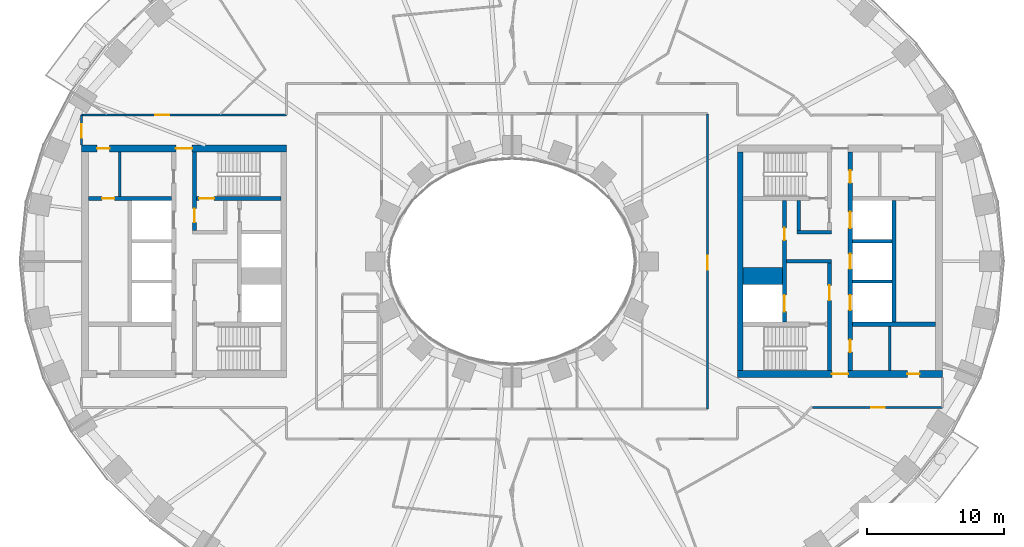
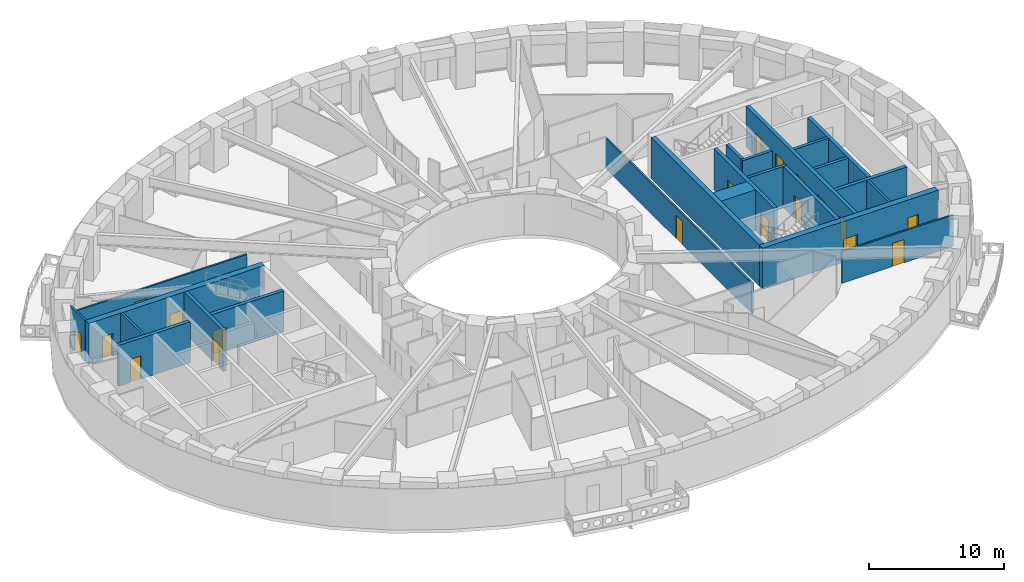
# One storey, part 5 of 16: 23 walls, 19 doors, 19 openings.
"""IFC4 building model written with IfcOpenShell, lengths in metres."""

from ifc_helpers import new_model, si_unit, direction, frame, frame_2d, origin, place, context, subcontext, project, spatial, rectangle, extrude, material, layer, layer_set, type_object, element, fill, save


model = new_model("IFC4")

# Units and contexts
model_context = context("Model", 3, precision=1e-05, world=origin(), true_north=direction((0.0, 1.0)))
body_context = subcontext(model_context, "Body", "Model", "MODEL_VIEW")
ifc_project = project(units=[si_unit("LENGTHUNIT", "METRE"), si_unit("AREAUNIT", "SQUARE_METRE"), si_unit("VOLUMEUNIT", "CUBIC_METRE"), si_unit("PLANEANGLEUNIT", "RADIAN"), si_unit("MASSUNIT", "GRAM", prefix="KILO")], contexts=[model_context])

# Site, building, storey
site_placement = place(None, origin())
site = spatial("IfcSite", under=ifc_project, at=site_placement, CompositionType="ELEMENT")
building_placement = place(site_placement, origin())
building = spatial("IfcBuilding", under=site, at=building_placement, Name="Noorbagh Ring Tower", CompositionType="ELEMENT")
storey_placement = place(building_placement, frame((0.0, 0.0, 46.5)))
storey = spatial("IfcBuildingStorey", under=building, at=storey_placement, Name="L09", CompositionType="ELEMENT", Elevation=46.5)

# Walls
ifc_material_1 = material(Name="Gypsum board on steel studs", Category="steel")
ifc_layer_1 = layer(ifc_material_1, 0.199951171875)
ifc_layer_set_1 = layer_set([ifc_layer_1], Name="Gypsum board on steel studs")
wall_type_1 = type_object("IfcWallType", Name="CORE-PARTITION-200", PredefinedType="PARTITIONING", material=ifc_layer_set_1)
for number, where, z_axis, x_axis, name in (
    (1, (-28.699951171875, 4.75, 0.0), (0.0, 0.0, 1.0), (0.0, 1.0, 0.0), "Core partition W"),
    (2, (27.64990234375, -8.0, 0.0), (0.0, 0.0, 1.0), (0.0, 1.0, 0.0), "Core partition E"),
):
    element("IfcWall", number, at=place(storey_placement, frame(where, z_axis=z_axis, x_axis=x_axis)), inside=storey, type_object=wall_type_1, Name=name, PredefinedType="PARTITIONING", context=body_context, shape_type="SweptSolid", body=[
        extrude(rectangle(XDim=3.25, YDim=0.199951171875, at=frame_2d((1.625, 0.0))), origin(), (0.0, 0.0, 1.0), 3.699951171875),
    ])
ifc_material_2 = material(Name="Concrete C70/85", Category="concrete")
ifc_layer_2 = layer(ifc_material_2, 1.25)
ifc_layer_set_2 = layer_set([ifc_layer_2], Name="Concrete C70/85")
wall_type_2 = type_object("IfcWallType", Name="CORE-WALL-1250-C70-85-EI120", PredefinedType="SHEAR", material=ifc_layer_set_2)
wall_1_placement = place(storey_placement, frame((16.89990234375, -1.074951171875, 0.0), z_axis=(0.0, 0.0, 1.0), x_axis=(1.0, 0.0, 0.0)))
element("IfcWall", 3, at=wall_1_placement, inside=storey, type_object=wall_type_2, Name="Core wall E", PredefinedType="SHEAR", context=body_context, shape_type="SweptSolid", body=[
    extrude(rectangle(XDim=2.900146484375, YDim=1.25, at=frame_2d((1.4501953125, 0.0))), origin(), (0.0, 0.0, 1.0), 3.699951171875),
])
ifc_material_3 = material(Name="Concrete C70/85", Category="concrete")
ifc_layer_3 = layer(ifc_material_3, 0.25)
ifc_layer_set_3 = layer_set([ifc_layer_3], Name="Concrete C70/85")
wall_type_3 = type_object("IfcWallType", Name="CORE-WALL-250-C70-85-EI120", PredefinedType="SHEAR", material=ifc_layer_set_3)
for number, where, z_axis, x_axis, name in (
    (4, (24.89990234375, -1.47509765625, 0.0), (0.0, 0.0, 1.0), (1.0, 0.0, 0.0), "Core wall E"),
    (5, (24.89990234375, 1.47509765625, 0.0), (0.0, 0.0, 1.0), (1.0, 0.0, 0.0), "Core wall E"),
):
    element("IfcWall", number, at=place(storey_placement, frame(where, z_axis=z_axis, x_axis=x_axis)), inside=storey, type_object=wall_type_3, Name=name, PredefinedType="SHEAR", context=body_context, shape_type="SweptSolid", body=[
        extrude(rectangle(XDim=2.900146484375, YDim=0.25, at=frame_2d((1.4501953125, 0.0))), origin(), (0.0, 0.0, 1.0), 3.699951171875),
    ])
ifc_material_4 = material(Name="Concrete C70/85", Category="concrete")
ifc_layer_4 = layer(ifc_material_4, 0.25)
ifc_layer_set_4 = layer_set([ifc_layer_4], Name="Concrete C70/85")
wall_type_4 = type_object("IfcWallType", Name="CORE-WALL-250-C70-85-EI240", PredefinedType="SHEAR", material=ifc_layer_set_4)
wall_2_placement = place(storey_placement, frame((20.10009765625, 0.0, 0.0), z_axis=(0.0, 0.0, 1.0), x_axis=(1.0, 0.0, 0.0)))
element("IfcWall", 6, at=wall_2_placement, inside=storey, type_object=wall_type_4, Name="Core wall E", PredefinedType="SHEAR", context=body_context, shape_type="SweptSolid", body=[
    extrude(rectangle(XDim=3.27978515625, YDim=0.25, at=frame_2d((1.639892578125, 0.0))), origin(), (0.0, 0.0, 1.0), 3.699951171875),
])
wall_3_placement = place(storey_placement, frame((20.85009765625, 2.125, 0.0), z_axis=(0.0, 0.0, 1.0), x_axis=(1.0, 0.0, 0.0)))
element("IfcWall", 7, at=wall_3_placement, inside=storey, type_object=wall_type_4, Name="Core wall E", PredefinedType="SHEAR", context=body_context, shape_type="SweptSolid", body=[
    extrude(rectangle(XDim=2.52978515625, YDim=0.25, at=frame_2d((1.264892578125, 0.0))), origin(), (0.0, 0.0, 1.0), 3.699951171875),
])
wall_4_placement = place(storey_placement, frame((20.97509765625, 2.25, 0.0), z_axis=(0.0, 0.0, 1.0), x_axis=(0.0, 1.0, 0.0)))
element("IfcWall", 8, at=wall_4_placement, inside=storey, type_object=wall_type_4, Name="Core wall E", PredefinedType="SHEAR", context=body_context, shape_type="SweptSolid", body=[
    extrude(rectangle(XDim=2.199951171875, YDim=0.25, at=frame_2d((1.10009765625, 0.0))), origin(), (0.0, 0.0, 1.0), 3.699951171875),
])
ifc_material_5 = material(Name="Concrete C70/85", Category="concrete")
ifc_layer_5 = layer(ifc_material_5, 0.300048828125)
ifc_layer_set_5 = layer_set([ifc_layer_5], Name="Concrete C70/85")
wall_type_5 = type_object("IfcWallType", Name="CORE-WALL-300-C70-85-EI120", PredefinedType="SHEAR", material=ifc_layer_set_5)
wall_5_placement = place(storey_placement, frame((27.949951171875, -4.449951171875, 0.0), z_axis=(0.0, 0.0, 1.0), x_axis=(0.0, 1.0, 0.0)))
element("IfcWall", 9, at=wall_5_placement, inside=storey, type_object=wall_type_5, Name="Core wall E", PredefinedType="SHEAR", context=body_context, shape_type="SweptSolid", body=[
    extrude(rectangle(XDim=8.89990234375, YDim=0.300048828125, at=frame_2d((4.449951171875, 0.0))), origin(), (0.0, 0.0, 1.0), 3.699951171875),
])

# Wall, openings, doors
wall_6_placement = place(storey_placement, frame((19.949951171875, -4.449951171875, 0.0), z_axis=(0.0, 0.0, 1.0), x_axis=(0.0, 1.0, 0.0)))
wall_6 = element("IfcWall", 10, at=wall_6_placement, inside=storey, type_object=wall_type_5, Name="Core wall E", PredefinedType="SHEAR", context=body_context, shape_type="SweptSolid", body=[
    extrude(rectangle(XDim=8.89990234375, YDim=0.300048828125, at=frame_2d((4.449951171875, 0.0))), origin(), (0.0, 0.0, 1.0), 3.699951171875),
])
opening_1_placement = place(wall_6_placement, frame((0.77490234375, 0.0, 0.0)))
opening_1 = element("IfcOpeningElement", 11, at=opening_1_placement, cuts=wall_6, Name="Opening L09-CE01", PredefinedType="OPENING", context=body_context, shape_type="SweptSolid", body=[
    extrude(rectangle(XDim=1.199951171875, YDim=2.10009765625, at=frame_2d((0.60009765625, 1.050048828125))), frame((0.0, 0.16015625, 0.0), z_axis=(0.0, -1.0, 0.0), x_axis=(1.0, 0.0, 0.0)), (0.0, 0.0, 1.0), 0.320068359375),
])
opening_2_placement = place(wall_6_placement, frame((6.0, 0.0, 0.0)))
opening_2 = element("IfcOpeningElement", 12, at=opening_2_placement, cuts=wall_6, Name="Opening L09-CE11", PredefinedType="OPENING", context=body_context, shape_type="SweptSolid", body=[
    extrude(rectangle(XDim=0.89990234375, YDim=2.10009765625, at=frame_2d((0.449951171875, 1.050048828125))), frame((0.0, 0.16015625, 0.0), z_axis=(0.0, -1.0, 0.0), x_axis=(1.0, 0.0, 0.0)), (0.0, 0.0, 1.0), 0.320068359375),
])
ifc_material_6 = material(Name="Steel door leaf", Category="steel")
door_type_1 = type_object("IfcDoorType", Name="CORE-DOOR-DROOM", OperationType="SINGLE_SWING_LEFT", PredefinedType="DOOR", material=ifc_material_6)
door_1_placement = place(opening_2_placement, origin())
door_1 = element("IfcDoor", 13, at=door_1_placement, inside=storey, type_object=door_type_1, Name="Core room door L09-CE11", OperationType="SINGLE_SWING_RIGHT", OverallHeight=2.10009765625, OverallWidth=0.89990234375, PredefinedType="DOOR", context=body_context, shape_type="SweptSolid", body=[
    extrude(rectangle(XDim=0.89990234375, YDim=2.10009765625, at=frame_2d((0.449951171875, 1.050048828125))), frame((0.0, 0.02490234375, 0.0), z_axis=(0.0, -1.0, 0.0), x_axis=(1.0, 0.0, 0.0)), (0.0, 0.0, 1.0), 0.050048828125),
])
fill(opening_2, door_1)
ifc_material_7 = material(Name="Steel door leaf", Category="steel")
door_type_2 = type_object("IfcDoorType", Name="CORE-DOOR-LDW", OperationType="DOUBLE_DOOR_SLIDING", PredefinedType="DOOR", material=ifc_material_7)
door_2_placement = place(opening_1_placement, origin())
door_2 = element("IfcDoor", 14, at=door_2_placement, inside=storey, type_object=door_type_2, Name="Landing door FF2 L09-CE01", OperationType="DOUBLE_DOOR_SLIDING", OverallHeight=2.10009765625, OverallWidth=1.199951171875, PredefinedType="DOOR", context=body_context, shape_type="SweptSolid", body=[
    extrude(rectangle(XDim=1.199951171875, YDim=2.10009765625, at=frame_2d((0.60009765625, 1.050048828125))), frame((0.0, 0.02490234375, 0.0), z_axis=(0.0, -1.0, 0.0), x_axis=(1.0, 0.0, 0.0)), (0.0, 0.0, 1.0), 0.050048828125),
])
fill(opening_1, door_2)

wall_7_placement = place(storey_placement, frame((24.75, -8.0, 0.0), z_axis=(0.0, 0.0, 1.0), x_axis=(0.0, 1.0, 0.0)))
wall_7 = element("IfcWall", 15, at=wall_7_placement, inside=storey, type_object=wall_type_5, Name="Core wall E", PredefinedType="SHEAR", context=body_context, shape_type="SweptSolid", body=[
    extrude(rectangle(XDim=16.0, YDim=0.300048828125, at=frame_2d((8.0, 0.0))), origin(), (0.0, 0.0, 1.0), 3.699951171875),
])
opening_3_placement = place(wall_7_placement, frame((4.425048828125, 0.0, 0.0)))
opening_3 = element("IfcOpeningElement", 16, at=opening_3_placement, cuts=wall_7, Name="Opening L09-CE02", PredefinedType="OPENING", context=body_context, shape_type="SweptSolid", body=[
    extrude(rectangle(XDim=1.10009765625, YDim=2.10009765625, at=frame_2d((0.550048828125, 1.050048828125))), frame((0.0, 0.16015625, 0.0), z_axis=(0.0, -1.0, 0.0), x_axis=(1.0, 0.0, 0.0)), (0.0, 0.0, 1.0), 0.320068359375),
])
opening_4_placement = place(wall_7_placement, frame((7.449951171875, 0.0, 0.0)))
opening_4 = element("IfcOpeningElement", 17, at=opening_4_placement, cuts=wall_7, Name="Opening L09-CE03", PredefinedType="OPENING", context=body_context, shape_type="SweptSolid", body=[
    extrude(rectangle(XDim=1.10009765625, YDim=2.10009765625, at=frame_2d((0.550048828125, 1.050048828125))), frame((0.0, 0.16015625, 0.0), z_axis=(0.0, -1.0, 0.0), x_axis=(1.0, 0.0, 0.0)), (0.0, 0.0, 1.0), 0.320068359375),
])
opening_5_placement = place(wall_7_placement, frame((10.425048828125, 0.0, 0.0)))
opening_5 = element("IfcOpeningElement", 18, at=opening_5_placement, cuts=wall_7, Name="Opening L09-CE04", PredefinedType="OPENING", context=body_context, shape_type="SweptSolid", body=[
    extrude(rectangle(XDim=1.199951171875, YDim=2.10009765625, at=frame_2d((0.60009765625, 1.050048828125))), frame((0.0, 0.16015625, 0.0), z_axis=(0.0, -1.0, 0.0), x_axis=(1.0, 0.0, 0.0)), (0.0, 0.0, 1.0), 0.320068359375),
])
opening_6_placement = place(wall_7_placement, frame((13.75, 0.0, 0.0)))
opening_6 = element("IfcOpeningElement", 19, at=opening_6_placement, cuts=wall_7, Name="Opening L09-CE12", PredefinedType="OPENING", context=body_context, shape_type="SweptSolid", body=[
    extrude(rectangle(XDim=0.89990234375, YDim=2.10009765625, at=frame_2d((0.449951171875, 1.050048828125))), frame((0.0, 0.16015625, 0.0), z_axis=(0.0, -1.0, 0.0), x_axis=(1.0, 0.0, 0.0)), (0.0, 0.0, 1.0), 0.320068359375),
])
opening_7_placement = place(wall_7_placement, frame((1.35009765625, 0.0, 0.0)))
opening_7 = element("IfcOpeningElement", 20, at=opening_7_placement, cuts=wall_7, Name="Opening L09-CE14", PredefinedType="OPENING", context=body_context, shape_type="SweptSolid", body=[
    extrude(rectangle(XDim=0.89990234375, YDim=2.10009765625, at=frame_2d((0.449951171875, 1.050048828125))), frame((0.0, 0.16015625, 0.0), z_axis=(0.0, -1.0, 0.0), x_axis=(1.0, 0.0, 0.0)), (0.0, 0.0, 1.0), 0.320068359375),
])
door_3_placement = place(opening_6_placement, origin())
door_3 = element("IfcDoor", 21, at=door_3_placement, inside=storey, type_object=door_type_1, Name="Core room door L09-CE12", OperationType="SINGLE_SWING_LEFT", OverallHeight=2.10009765625, OverallWidth=0.89990234375, PredefinedType="DOOR", context=body_context, shape_type="SweptSolid", body=[
    extrude(rectangle(XDim=0.89990234375, YDim=2.10009765625, at=frame_2d((0.449951171875, 1.050048828125))), frame((0.0, 0.02490234375, 0.0), z_axis=(0.0, -1.0, 0.0), x_axis=(1.0, 0.0, 0.0)), (0.0, 0.0, 1.0), 0.050048828125),
])
fill(opening_6, door_3)
door_4_placement = place(opening_7_placement, origin())
door_4 = element("IfcDoor", 22, at=door_4_placement, inside=storey, type_object=door_type_1, Name="Core room door L09-CE14", OperationType="SINGLE_SWING_RIGHT", OverallHeight=2.10009765625, OverallWidth=0.89990234375, PredefinedType="DOOR", context=body_context, shape_type="SweptSolid", body=[
    extrude(rectangle(XDim=0.89990234375, YDim=2.10009765625, at=frame_2d((0.449951171875, 1.050048828125))), frame((0.0, 0.02490234375, 0.0), z_axis=(0.0, -1.0, 0.0), x_axis=(1.0, 0.0, 0.0)), (0.0, 0.0, 1.0), 0.050048828125),
])
fill(opening_7, door_4)
ifc_material_8 = material(Name="Steel door leaf", Category="steel")
door_type_3 = type_object("IfcDoorType", Name="CORE-DOOR-LD", OperationType="DOUBLE_DOOR_SLIDING", PredefinedType="DOOR", material=ifc_material_8)
door_5_placement = place(opening_3_placement, origin())
door_5 = element("IfcDoor", 23, at=door_5_placement, inside=storey, type_object=door_type_3, Name="Landing door LR3 L09-CE02", OperationType="DOUBLE_DOOR_SLIDING", OverallHeight=2.10009765625, OverallWidth=1.10009765625, PredefinedType="DOOR", context=body_context, shape_type="SweptSolid", body=[
    extrude(rectangle(XDim=1.10009765625, YDim=2.10009765625, at=frame_2d((0.550048828125, 1.050048828125))), frame((0.0, 0.02490234375, 0.0), z_axis=(0.0, -1.0, 0.0), x_axis=(1.0, 0.0, 0.0)), (0.0, 0.0, 1.0), 0.050048828125),
])
fill(opening_3, door_5)
door_6_placement = place(opening_4_placement, origin())
door_6 = element("IfcDoor", 24, at=door_6_placement, inside=storey, type_object=door_type_3, Name="Landing door LR4 L09-CE03", OperationType="DOUBLE_DOOR_SLIDING", OverallHeight=2.10009765625, OverallWidth=1.10009765625, PredefinedType="DOOR", context=body_context, shape_type="SweptSolid", body=[
    extrude(rectangle(XDim=1.10009765625, YDim=2.10009765625, at=frame_2d((0.550048828125, 1.050048828125))), frame((0.0, 0.02490234375, 0.0), z_axis=(0.0, -1.0, 0.0), x_axis=(1.0, 0.0, 0.0)), (0.0, 0.0, 1.0), 0.050048828125),
])
fill(opening_4, door_6)
door_7_placement = place(opening_5_placement, origin())
door_7 = element("IfcDoor", 25, at=door_7_placement, inside=storey, type_object=door_type_2, Name="Landing door SV2 L09-CE04", OperationType="DOUBLE_DOOR_SLIDING", OverallHeight=2.10009765625, OverallWidth=1.199951171875, PredefinedType="DOOR", context=body_context, shape_type="SweptSolid", body=[
    extrude(rectangle(XDim=1.199951171875, YDim=2.10009765625, at=frame_2d((0.60009765625, 1.050048828125))), frame((0.0, 0.02490234375, 0.0), z_axis=(0.0, -1.0, 0.0), x_axis=(1.0, 0.0, 0.0)), (0.0, 0.0, 1.0), 0.050048828125),
])
fill(opening_5, door_7)

# Wall, opening, door
ifc_material_9 = material(Name="Concrete C70/85", Category="concrete")
ifc_layer_6 = layer(ifc_material_9, 0.300048828125)
ifc_layer_set_6 = layer_set([ifc_layer_6], Name="Concrete C70/85")
wall_type_6 = type_object("IfcWallType", Name="CORE-WALL-300-C70-85-EI240", PredefinedType="SHEAR", material=ifc_layer_set_6)
wall_8_placement = place(storey_placement, frame((-24.89990234375, 4.60009765625, 0.0), z_axis=(0.0, 0.0, 1.0), x_axis=(-1.0, 0.0, 0.0)))
wall_8 = element("IfcWall", 26, at=wall_8_placement, inside=storey, type_object=wall_type_6, Name="Core wall W", PredefinedType="SHEAR", context=body_context, shape_type="SweptSolid", body=[
    extrude(rectangle(XDim=6.10009765625, YDim=0.300048828125, at=frame_2d((3.050048828125, 0.0))), origin(), (0.0, 0.0, 1.0), 3.699951171875),
])
opening_8_placement = place(wall_8_placement, frame((4.199951171875, 0.0, 0.0)))
opening_8 = element("IfcOpeningElement", 27, at=opening_8_placement, cuts=wall_8, Name="Opening L09-CW16", PredefinedType="OPENING", context=body_context, shape_type="SweptSolid", body=[
    extrude(rectangle(XDim=0.89990234375, YDim=2.10009765625, at=frame_2d((0.449951171875, 1.050048828125))), frame((0.0, 0.16015625, 0.0), z_axis=(0.0, -1.0, 0.0), x_axis=(1.0, 0.0, 0.0)), (0.0, 0.0, 1.0), 0.320068359375),
])
door_8_placement = place(opening_8_placement, origin())
door_8 = element("IfcDoor", 28, at=door_8_placement, inside=storey, type_object=door_type_1, Name="Core room door L09-CW16", OperationType="SINGLE_SWING_LEFT", OverallHeight=2.10009765625, OverallWidth=0.89990234375, PredefinedType="DOOR", context=body_context, shape_type="SweptSolid", body=[
    extrude(rectangle(XDim=0.89990234375, YDim=2.10009765625, at=frame_2d((0.449951171875, 1.050048828125))), frame((0.0, 0.02490234375, 0.0), z_axis=(0.0, -1.0, 0.0), x_axis=(1.0, 0.0, 0.0)), (0.0, 0.0, 1.0), 0.050048828125),
])
fill(opening_8, door_8)

wall_9_placement = place(storey_placement, frame((-23.22998046875, 2.25, 0.0), z_axis=(0.0, 0.0, 1.0), x_axis=(0.0, 1.0, 0.0)))
wall_9 = element("IfcWall", 29, at=wall_9_placement, inside=storey, type_object=wall_type_6, Name="Core wall W", PredefinedType="SHEAR", context=body_context, shape_type="SweptSolid", body=[
    extrude(rectangle(XDim=5.75, YDim=0.300048828125, at=frame_2d((2.875, 0.0))), origin(), (0.0, 0.0, 1.0), 3.699951171875),
])
opening_9_placement = place(wall_9_placement, frame((0.60009765625, 0.0, 0.0)))
opening_9 = element("IfcOpeningElement", 30, at=opening_9_placement, cuts=wall_9, Name="Opening L09-CW08", PredefinedType="OPENING", context=body_context, shape_type="SweptSolid", body=[
    extrude(rectangle(XDim=1.0, YDim=2.10009765625, at=frame_2d((0.5, 1.050048828125))), frame((0.0, 0.16015625, 0.0), z_axis=(0.0, -1.0, 0.0), x_axis=(1.0, 0.0, 0.0)), (0.0, 0.0, 1.0), 0.320068359375),
])
ifc_material_10 = material(Name="Steel door leaf", Category="steel")
door_type_4 = type_object("IfcDoorType", Name="CORE-DOOR-DVEST", OperationType="SINGLE_SWING_LEFT", PredefinedType="DOOR", material=ifc_material_10)
door_9_placement = place(opening_9_placement, origin())
door_9 = element("IfcDoor", 31, at=door_9_placement, inside=storey, type_object=door_type_4, Name="Stair vestibule door L09-CW08", OperationType="SINGLE_SWING_LEFT", OverallHeight=2.10009765625, OverallWidth=1.0, PredefinedType="DOOR", context=body_context, shape_type="SweptSolid", body=[
    extrude(rectangle(XDim=1.0, YDim=2.10009765625, at=frame_2d((0.5, 1.050048828125))), frame((0.0, 0.02490234375, 0.0), z_axis=(0.0, -1.0, 0.0), x_axis=(1.0, 0.0, 0.0)), (0.0, 0.0, 1.0), 0.050048828125),
])
fill(opening_9, door_9)

wall_10_placement = place(storey_placement, frame((-16.89990234375, 4.60009765625, 0.0), z_axis=(0.0, 0.0, 1.0), x_axis=(-1.0, 0.0, 0.0)))
wall_10 = element("IfcWall", 32, at=wall_10_placement, inside=storey, type_object=wall_type_6, Name="Core wall W", PredefinedType="SHEAR", context=body_context, shape_type="SweptSolid", body=[
    extrude(rectangle(XDim=6.18017578125, YDim=0.300048828125, at=frame_2d((3.090087890625, 0.0))), origin(), (0.0, 0.0, 1.0), 3.699951171875),
])
opening_10_placement = place(wall_10_placement, frame((4.89990234375, 0.0, 0.0)))
opening_10 = element("IfcOpeningElement", 33, at=opening_10_placement, cuts=wall_10, Name="Opening L09-CW05", PredefinedType="OPENING", context=body_context, shape_type="SweptSolid", body=[
    extrude(rectangle(XDim=1.10009765625, YDim=2.10009765625, at=frame_2d((0.550048828125, 1.050048828125))), frame((0.0, 0.16015625, 0.0), z_axis=(0.0, -1.0, 0.0), x_axis=(1.0, 0.0, 0.0)), (0.0, 0.0, 1.0), 0.320068359375),
])
ifc_material_11 = material(Name="Steel door leaf", Category="steel")
door_type_5 = type_object("IfcDoorType", Name="CORE-DOOR-DSTAIR", OperationType="SINGLE_SWING_LEFT", PredefinedType="DOOR", material=ifc_material_11)
door_10_placement = place(opening_10_placement, origin())
door_10 = element("IfcDoor", 34, at=door_10_placement, inside=storey, type_object=door_type_5, Name="Stair door ST1 L09-CW05", OperationType="SINGLE_SWING_RIGHT", OverallHeight=2.10009765625, OverallWidth=1.10009765625, PredefinedType="DOOR", context=body_context, shape_type="SweptSolid", body=[
    extrude(rectangle(XDim=1.10009765625, YDim=2.10009765625, at=frame_2d((0.550048828125, 1.050048828125))), frame((0.0, 0.02490234375, 0.0), z_axis=(0.0, -1.0, 0.0), x_axis=(1.0, 0.0, 0.0)), (0.0, 0.0, 1.0), 0.050048828125),
])
fill(opening_10, door_10)

# Wall
wall_11_placement = place(storey_placement, frame((24.89990234375, -4.60009765625, 0.0), z_axis=(0.0, 0.0, 1.0), x_axis=(1.0, 0.0, 0.0)))
element("IfcWall", 35, at=wall_11_placement, inside=storey, type_object=wall_type_6, Name="Core wall E", PredefinedType="SHEAR", context=body_context, shape_type="SweptSolid", body=[
    extrude(rectangle(XDim=6.10009765625, YDim=0.300048828125, at=frame_2d((3.050048828125, 0.0))), origin(), (0.0, 0.0, 1.0), 3.699951171875),
])

# Wall, opening, door
wall_12_placement = place(storey_placement, frame((23.22998046875, -8.0, 0.0), z_axis=(0.0, 0.0, 1.0), x_axis=(0.0, 1.0, 0.0)))
wall_12 = element("IfcWall", 36, at=wall_12_placement, inside=storey, type_object=wall_type_6, Name="Core wall E", PredefinedType="SHEAR", context=body_context, shape_type="SweptSolid", body=[
    extrude(rectangle(XDim=7.875, YDim=0.300048828125, at=frame_2d((3.9375, 0.0))), origin(), (0.0, 0.0, 1.0), 3.699951171875),
])
opening_11_placement = place(wall_12_placement, frame((5.14990234375, 0.0, 0.0)))
opening_11 = element("IfcOpeningElement", 37, at=opening_11_placement, cuts=wall_12, Name="Opening L09-CE07", PredefinedType="OPENING", context=body_context, shape_type="SweptSolid", body=[
    extrude(rectangle(XDim=1.10009765625, YDim=2.10009765625, at=frame_2d((0.550048828125, 1.050048828125))), frame((0.0, 0.16015625, 0.0), z_axis=(0.0, -1.0, 0.0), x_axis=(1.0, 0.0, 0.0)), (0.0, 0.0, 1.0), 0.320068359375),
])
ifc_material_12 = material(Name="Steel door leaf", Category="steel")
door_type_6 = type_object("IfcDoorType", Name="CORE-DOOR-DFF", OperationType="SINGLE_SWING_LEFT", PredefinedType="DOOR", material=ifc_material_12)
door_11_placement = place(opening_11_placement, origin())
door_11 = element("IfcDoor", 38, at=door_11_placement, inside=storey, type_object=door_type_6, Name="Firefighting lobby door L09-CE07", OperationType="SINGLE_SWING_RIGHT", OverallHeight=2.10009765625, OverallWidth=1.10009765625, PredefinedType="DOOR", context=body_context, shape_type="SweptSolid", body=[
    extrude(rectangle(XDim=1.10009765625, YDim=2.10009765625, at=frame_2d((0.550048828125, 1.050048828125))), frame((0.0, 0.02490234375, 0.0), z_axis=(0.0, -1.0, 0.0), x_axis=(1.0, 0.0, 0.0)), (0.0, 0.0, 1.0), 0.050048828125),
])
fill(opening_11, door_11)

# Wall
ifc_material_13 = material(Name="Concrete C70/85", Category="concrete")
ifc_layer_7 = layer(ifc_material_13, 0.39990234375)
ifc_layer_set_7 = layer_set([ifc_layer_7], Name="Concrete C70/85")
wall_type_7 = type_object("IfcWallType", Name="CORE-WALL-400-C70-85-EI240", PredefinedType="SHEAR", material=ifc_layer_set_7)
wall_13_placement = place(storey_placement, frame((16.699951171875, -8.0, 0.0), z_axis=(0.0, 0.0, 1.0), x_axis=(0.0, 1.0, 0.0)))
element("IfcWall", 39, at=wall_13_placement, inside=storey, type_object=wall_type_7, Name="Core wall E", PredefinedType="SHEAR", context=body_context, shape_type="SweptSolid", body=[
    extrude(rectangle(XDim=16.0, YDim=0.39990234375, at=frame_2d((8.0, 0.0))), origin(), (0.0, 0.0, 1.0), 3.699951171875),
])

# Wall, openings, doors
ifc_material_14 = material(Name="Concrete C70/85", Category="concrete")
ifc_layer_8 = layer(ifc_material_14, 0.5)
ifc_layer_set_8 = layer_set([ifc_layer_8], Name="Concrete C70/85")
wall_type_8 = type_object("IfcWallType", Name="CORE-WALL-500-C70-85-EI240", PredefinedType="SHEAR", material=ifc_layer_set_8)
wall_14_placement = place(storey_placement, frame((-16.5, 8.25, 0.0), z_axis=(0.0, 0.0, 1.0), x_axis=(-1.0, 0.0, 0.0)))
wall_14 = element("IfcWall", 40, at=wall_14_placement, inside=storey, type_object=wall_type_8, Name="Core wall W", PredefinedType="SHEAR", context=body_context, shape_type="SweptSolid", body=[
    extrude(rectangle(XDim=15.0, YDim=0.5, at=frame_2d((7.5, 0.0))), origin(), (0.0, 0.0, 1.0), 3.699951171875),
])
opening_12_placement = place(wall_14_placement, frame((6.89990234375, 0.0, 0.0)))
opening_12 = element("IfcOpeningElement", 41, at=opening_12_placement, cuts=wall_14, Name="Opening L09-CW09", PredefinedType="OPENING", context=body_context, shape_type="SweptSolid", body=[
    extrude(rectangle(XDim=1.199951171875, YDim=2.10009765625, at=frame_2d((0.60009765625, 1.050048828125))), frame((0.0, 0.260009765625, 0.0), z_axis=(0.0, -1.0, 0.0), x_axis=(1.0, 0.0, 0.0)), (0.0, 0.0, 1.0), 0.52001953125),
])
opening_13_placement = place(wall_14_placement, frame((12.949951171875, 0.0, 0.0)))
opening_13 = element("IfcOpeningElement", 42, at=opening_13_placement, cuts=wall_14, Name="Opening L09-CW13", PredefinedType="OPENING", context=body_context, shape_type="SweptSolid", body=[
    extrude(rectangle(XDim=0.89990234375, YDim=2.10009765625, at=frame_2d((0.449951171875, 1.050048828125))), frame((0.0, 0.260009765625, 0.0), z_axis=(0.0, -1.0, 0.0), x_axis=(1.0, 0.0, 0.0)), (0.0, 0.0, 1.0), 0.52001953125),
])
door_12_placement = place(opening_13_placement, origin())
door_12 = element("IfcDoor", 43, at=door_12_placement, inside=storey, type_object=door_type_1, Name="Core room door L09-CW13", OperationType="SINGLE_SWING_RIGHT", OverallHeight=2.10009765625, OverallWidth=0.89990234375, PredefinedType="DOOR", context=body_context, shape_type="SweptSolid", body=[
    extrude(rectangle(XDim=0.89990234375, YDim=2.10009765625, at=frame_2d((0.449951171875, 1.050048828125))), frame((0.0, 0.02490234375, 0.0), z_axis=(0.0, -1.0, 0.0), x_axis=(1.0, 0.0, 0.0)), (0.0, 0.0, 1.0), 0.050048828125),
])
fill(opening_13, door_12)
ifc_material_15 = material(Name="Steel door leaf", Category="steel")
door_type_7 = type_object("IfcDoorType", Name="CORE-DOOR-PORT", OperationType="DOUBLE_DOOR_DOUBLE_SWING", PredefinedType="DOOR", material=ifc_material_15)
door_13_placement = place(opening_12_placement, origin())
door_13 = element("IfcDoor", 44, at=door_13_placement, inside=storey, type_object=door_type_7, Name="Core entrance door L09-CW09", OperationType="DOUBLE_DOOR_DOUBLE_SWING", OverallHeight=2.10009765625, OverallWidth=1.199951171875, PredefinedType="DOOR", context=body_context, shape_type="SweptSolid", body=[
    extrude(rectangle(XDim=1.199951171875, YDim=2.10009765625, at=frame_2d((0.60009765625, 1.050048828125))), frame((0.0, 0.02490234375, 0.0), z_axis=(0.0, -1.0, 0.0), x_axis=(1.0, 0.0, 0.0)), (0.0, 0.0, 1.0), 0.050048828125),
])
fill(opening_12, door_13)

wall_15_placement = place(storey_placement, frame((16.5, -8.25, 0.0), z_axis=(0.0, 0.0, 1.0), x_axis=(1.0, 0.0, 0.0)))
wall_15 = element("IfcWall", 45, at=wall_15_placement, inside=storey, type_object=wall_type_8, Name="Core wall E", PredefinedType="SHEAR", context=body_context, shape_type="SweptSolid", body=[
    extrude(rectangle(XDim=15.0, YDim=0.5, at=frame_2d((7.5, 0.0))), origin(), (0.0, 0.0, 1.0), 3.699951171875),
])
opening_14_placement = place(wall_15_placement, frame((6.89990234375, 0.0, 0.0)))
opening_14 = element("IfcOpeningElement", 46, at=opening_14_placement, cuts=wall_15, Name="Opening L09-CE10", PredefinedType="OPENING", context=body_context, shape_type="SweptSolid", body=[
    extrude(rectangle(XDim=1.199951171875, YDim=2.10009765625, at=frame_2d((0.60009765625, 1.050048828125))), frame((0.0, 0.260009765625, 0.0), z_axis=(0.0, -1.0, 0.0), x_axis=(1.0, 0.0, 0.0)), (0.0, 0.0, 1.0), 0.52001953125),
])
opening_15_placement = place(wall_15_placement, frame((12.425048828125, 0.0, 0.0)))
opening_15 = element("IfcOpeningElement", 47, at=opening_15_placement, cuts=wall_15, Name="Opening L09-CE15", PredefinedType="OPENING", context=body_context, shape_type="SweptSolid", body=[
    extrude(rectangle(XDim=0.89990234375, YDim=2.10009765625, at=frame_2d((0.449951171875, 1.050048828125))), frame((0.0, 0.260009765625, 0.0), z_axis=(0.0, -1.0, 0.0), x_axis=(1.0, 0.0, 0.0)), (0.0, 0.0, 1.0), 0.52001953125),
])
door_14_placement = place(opening_15_placement, origin())
door_14 = element("IfcDoor", 48, at=door_14_placement, inside=storey, type_object=door_type_1, Name="Core room door L09-CE15", OperationType="SINGLE_SWING_RIGHT", OverallHeight=2.10009765625, OverallWidth=0.89990234375, PredefinedType="DOOR", context=body_context, shape_type="SweptSolid", body=[
    extrude(rectangle(XDim=0.89990234375, YDim=2.10009765625, at=frame_2d((0.449951171875, 1.050048828125))), frame((0.0, 0.02490234375, 0.0), z_axis=(0.0, -1.0, 0.0), x_axis=(1.0, 0.0, 0.0)), (0.0, 0.0, 1.0), 0.050048828125),
])
fill(opening_15, door_14)
door_15_placement = place(opening_14_placement, origin())
door_15 = element("IfcDoor", 49, at=door_15_placement, inside=storey, type_object=door_type_7, Name="Core entrance door L09-CE10", OperationType="DOUBLE_DOOR_DOUBLE_SWING", OverallHeight=2.10009765625, OverallWidth=1.199951171875, PredefinedType="DOOR", context=body_context, shape_type="SweptSolid", body=[
    extrude(rectangle(XDim=1.199951171875, YDim=2.10009765625, at=frame_2d((0.60009765625, 1.050048828125))), frame((0.0, 0.02490234375, 0.0), z_axis=(0.0, -1.0, 0.0), x_axis=(1.0, 0.0, 0.0)), (0.0, 0.0, 1.0), 0.050048828125),
])
fill(opening_14, door_15)

# Wall, opening, door
ifc_material_16 = material(Name="Gypsum board on steel studs", Category="steel")
ifc_layer_9 = layer(ifc_material_16, 0.14990234375)
ifc_layer_set_9 = layer_set([ifc_layer_9], Name="Gypsum board on steel studs")
wall_type_9 = type_object("IfcWallType", Name="CORRIDOR PARTITION 150 EI 30", PredefinedType="PARTITIONING", material=ifc_layer_set_9)
wall_16_placement = place(storey_placement, frame((-31.5, 8.5, 0.0), z_axis=(0.0, 0.0, 1.0), x_axis=(0.0, 1.0, 0.0)))
wall_16 = element("IfcWall", 50, at=wall_16_placement, inside=storey, type_object=wall_type_9, Name="L09/wall/P06", PredefinedType="PARTITIONING", context=body_context, shape_type="SweptSolid", body=[
    extrude(rectangle(XDim=2.199951171875, YDim=0.14990234375, at=frame_2d((1.10009765625, 0.0))), origin(), (0.0, 0.0, 1.0), 3.699951171875),
])
opening_16_placement = place(wall_16_placement, frame((0.550048828125, 0.0, 0.0)))
opening_16 = element("IfcOpeningElement", 51, at=opening_16_placement, cuts=wall_16, Name="Opening D1", PredefinedType="OPENING", context=body_context, shape_type="SweptSolid", body=[
    extrude(rectangle(XDim=1.0, YDim=2.10009765625, at=frame_2d((0.5, 1.050048828125))), frame((0.0, 0.0849609375, 0.0), z_axis=(0.0, -1.0, 0.0), x_axis=(1.0, 0.0, 0.0)), (0.0, 0.0, 1.0), 0.169921875),
])
ifc_material_17 = material(Name="Timber, painted", Category="wood")
door_type_8 = type_object("IfcDoorType", Name="DOOR 1000 X 2100 FD30", OperationType="SINGLE_SWING_LEFT", PredefinedType="DOOR", material=ifc_material_17)
door_16_placement = place(opening_16_placement, origin())
door_16 = element("IfcDoor", 52, at=door_16_placement, inside=storey, type_object=door_type_8, Name="L09-D07", OperationType="SINGLE_SWING_LEFT", OverallHeight=2.10009765625, OverallWidth=1.0, PredefinedType="DOOR", context=body_context, shape_type="SweptSolid", body=[
    extrude(rectangle(XDim=1.0, YDim=2.10009765625, at=frame_2d((0.5, 1.050048828125))), frame((0.0, 0.02490234375, 0.0), z_axis=(0.0, -1.0, 0.0), x_axis=(1.0, 0.0, 0.0)), (0.0, 0.0, 1.0), 0.050048828125),
])
fill(opening_16, door_16)

wall_17_placement = place(storey_placement, frame((-31.5, 10.699951171875, 0.0), z_axis=(0.0, 0.0, 1.0), x_axis=(1.0, 0.0, 0.0)))
wall_17 = element("IfcWall", 53, at=wall_17_placement, inside=storey, type_object=wall_type_9, Name="L09/wall/P07", PredefinedType="PARTITIONING", context=body_context, shape_type="SweptSolid", body=[
    extrude(rectangle(XDim=15.0, YDim=0.14990234375, at=frame_2d((7.5, 0.0))), origin(), (0.0, 0.0, 1.0), 3.10009765625),
])
opening_17_placement = place(wall_17_placement, frame((5.4140625, 0.0, 0.0)))
opening_17 = element("IfcOpeningElement", 54, at=opening_17_placement, cuts=wall_17, Name="Opening D1", PredefinedType="OPENING", context=body_context, shape_type="SweptSolid", body=[
    extrude(rectangle(XDim=1.0, YDim=2.10009765625, at=frame_2d((0.5, 1.050048828125))), frame((0.0, 0.0849609375, 0.0), z_axis=(0.0, -1.0, 0.0), x_axis=(1.0, 0.0, 0.0)), (0.0, 0.0, 1.0), 0.169921875),
])
door_17_placement = place(opening_17_placement, origin())
door_17 = element("IfcDoor", 55, at=door_17_placement, inside=storey, type_object=door_type_8, Name="L09-D09", OperationType="SINGLE_SWING_LEFT", OverallHeight=2.10009765625, OverallWidth=1.0, PredefinedType="DOOR", context=body_context, shape_type="SweptSolid", body=[
    extrude(rectangle(XDim=1.0, YDim=2.10009765625, at=frame_2d((0.5, 1.050048828125))), frame((0.0, 0.02490234375, 0.0), z_axis=(0.0, -1.0, 0.0), x_axis=(1.0, 0.0, 0.0)), (0.0, 0.0, 1.0), 0.050048828125),
])
fill(opening_17, door_17)

wall_18_placement = place(storey_placement, frame((14.300048828125, -10.800048828125, 0.0), z_axis=(0.0, 0.0, 1.0), x_axis=(0.0, 1.0, 0.0)))
wall_18 = element("IfcWall", 56, at=wall_18_placement, inside=storey, type_object=wall_type_9, Name="L09/wall/P73", PredefinedType="PARTITIONING", context=body_context, shape_type="SweptSolid", body=[
    extrude(rectangle(XDim=21.60009765625, YDim=0.14990234375, at=frame_2d((10.800048828125, 0.0))), origin(), (0.0, 0.0, 1.0), 2.75),
])
opening_18_placement = place(wall_18_placement, frame((10.199951171875, 0.0, 0.0)))
opening_18 = element("IfcOpeningElement", 57, at=opening_18_placement, cuts=wall_18, Name="Opening D1", PredefinedType="OPENING", context=body_context, shape_type="SweptSolid", body=[
    extrude(rectangle(XDim=1.0, YDim=2.10009765625, at=frame_2d((0.5, 1.050048828125))), frame((0.0, 0.0849609375, 0.0), z_axis=(0.0, -1.0, 0.0), x_axis=(1.0, 0.0, 0.0)), (0.0, 0.0, 1.0), 0.169921875),
])
door_18_placement = place(opening_18_placement, origin())
door_18 = element("IfcDoor", 58, at=door_18_placement, inside=storey, type_object=door_type_8, Name="L09-D26", OperationType="SINGLE_SWING_RIGHT", OverallHeight=2.10009765625, OverallWidth=1.0, PredefinedType="DOOR", context=body_context, shape_type="SweptSolid", body=[
    extrude(rectangle(XDim=1.0, YDim=2.10009765625, at=frame_2d((0.5, 1.050048828125))), frame((0.0, 0.02490234375, 0.0), z_axis=(0.0, -1.0, 0.0), x_axis=(1.0, 0.0, 0.0)), (0.0, 0.0, 1.0), 0.050048828125),
])
fill(opening_18, door_18)

wall_19_placement = place(storey_placement, frame((21.97509765625, -10.699951171875, 0.0), z_axis=(0.0, 0.0, 1.0), x_axis=(1.0, 0.0, 0.0)))
wall_19 = element("IfcWall", 59, at=wall_19_placement, inside=storey, type_object=wall_type_9, Name="L09/wall/P82", PredefinedType="PARTITIONING", context=body_context, shape_type="SweptSolid", body=[
    extrude(rectangle(XDim=9.52490234375, YDim=0.14990234375, at=frame_2d((4.762451171875, 0.0))), origin(), (0.0, 0.0, 1.0), 2.85009765625),
])
opening_19_placement = place(wall_19_placement, frame((4.300048828125, 0.0, 0.0)))
opening_19 = element("IfcOpeningElement", 60, at=opening_19_placement, cuts=wall_19, Name="Opening D1", PredefinedType="OPENING", context=body_context, shape_type="SweptSolid", body=[
    extrude(rectangle(XDim=1.0, YDim=2.10009765625, at=frame_2d((0.5, 1.050048828125))), frame((0.0, 0.0849609375, 0.0), z_axis=(0.0, -1.0, 0.0), x_axis=(1.0, 0.0, 0.0)), (0.0, 0.0, 1.0), 0.169921875),
])
door_19_placement = place(opening_19_placement, origin())
door_19 = element("IfcDoor", 61, at=door_19_placement, inside=storey, type_object=door_type_8, Name="L09-D18", OperationType="SINGLE_SWING_RIGHT", OverallHeight=2.10009765625, OverallWidth=1.0, PredefinedType="DOOR", context=body_context, shape_type="SweptSolid", body=[
    extrude(rectangle(XDim=1.0, YDim=2.10009765625, at=frame_2d((0.5, 1.050048828125))), frame((0.0, 0.02490234375, 0.0), z_axis=(0.0, -1.0, 0.0), x_axis=(1.0, 0.0, 0.0)), (0.0, 0.0, 1.0), 0.050048828125),
])
fill(opening_19, door_19)

save(model, "model.ifc")
